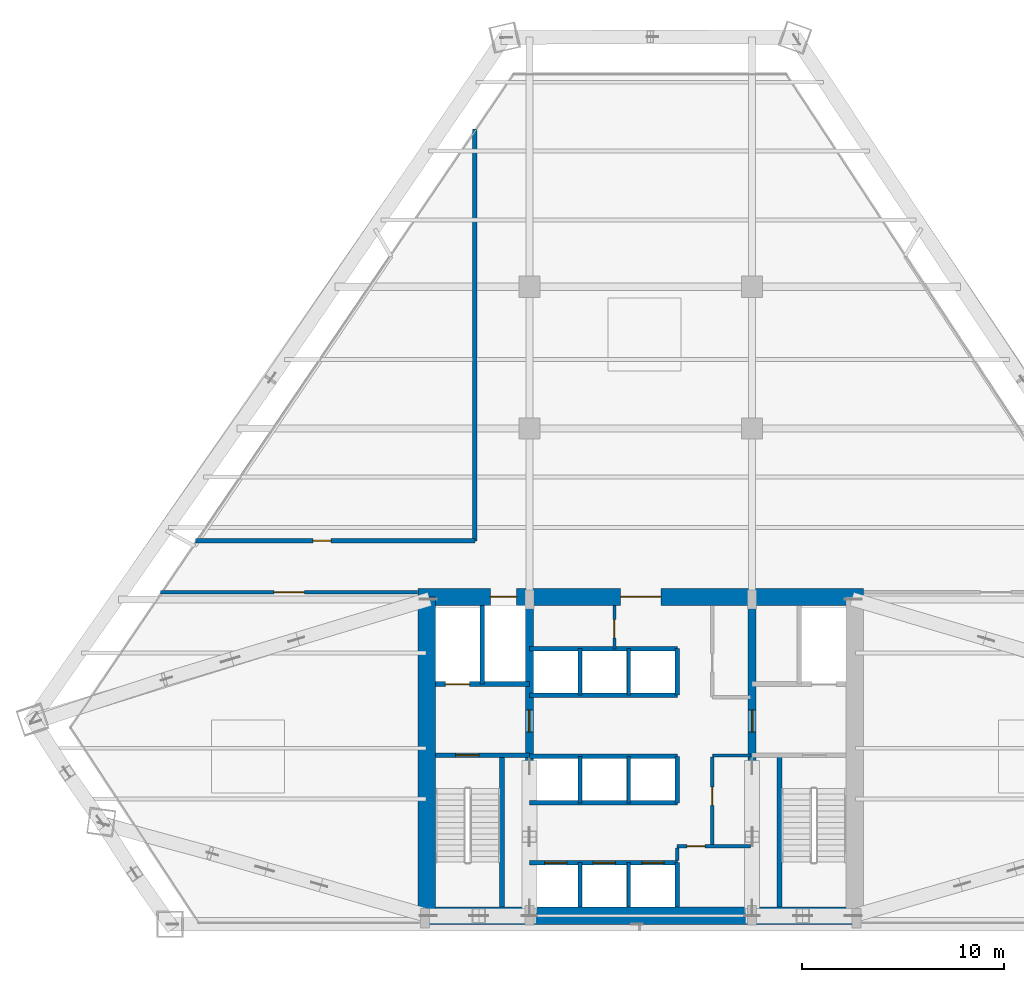
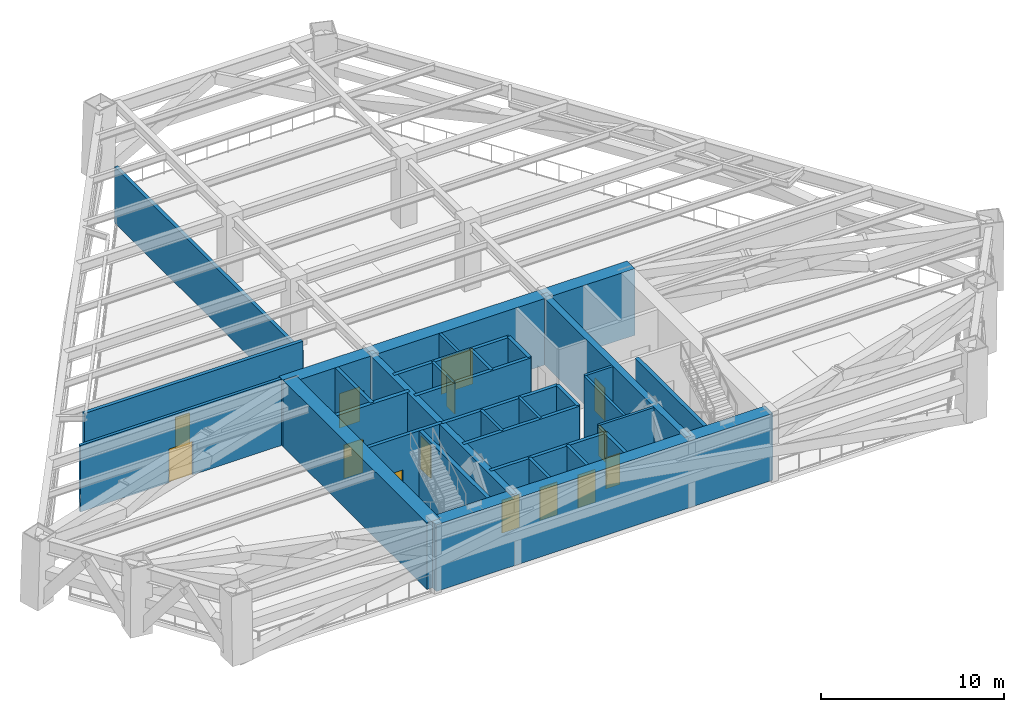
# One storey, part 7 of 10: 32 walls, 14 doors, 14 openings.
"""IFC4 building model written with IfcOpenShell, lengths in metres."""

from ifc_helpers import new_model, si_unit, direction, frame, frame_2d, origin, place, context, subcontext, project, spatial, rectangle, extrude, source, transform, mapped, material, layer, layer_set, type_object, type_shapes, element, fill, save


model = new_model("IFC4")

# Units and contexts
model_context = context("Model", 3, precision=1e-05, world=origin(), true_north=direction((0.0, 1.0)))
body_context = subcontext(model_context, "Body", "Model", "MODEL_VIEW")
ifc_project = project(units=[si_unit("LENGTHUNIT", "METRE"), si_unit("AREAUNIT", "SQUARE_METRE"), si_unit("VOLUMEUNIT", "CUBIC_METRE"), si_unit("PLANEANGLEUNIT", "RADIAN"), si_unit("MASSUNIT", "GRAM", prefix="KILO")], contexts=[model_context])

# Site, building, storey
site_placement = place(None, origin())
site = spatial("IfcSite", under=ifc_project, at=site_placement, CompositionType="ELEMENT")
building_placement = place(site_placement, origin())
building = spatial("IfcBuilding", under=site, at=building_placement, Name="Varnakhor Terracotta Tower", CompositionType="ELEMENT")
storey_placement = place(building_placement, frame((0.0, 0.0, 71.89990234375)))
storey = spatial("IfcBuildingStorey", under=building, at=storey_placement, Name="L17", CompositionType="ELEMENT", Elevation=71.89990234375)

# Wall
ifc_material_1 = material(Name="Concrete C60/75", Category="concrete")
ifc_layer_1 = layer(ifc_material_1, 0.85009765625, Name="Concrete C60/75")
ifc_layer_set_1 = layer_set([ifc_layer_1], Name="Concrete C60/75")
wall_type_1 = type_object("IfcWallType", Name="WAL-CORE-850", PredefinedType="SHEAR", material=ifc_layer_set_1)
wall_1_placement = place(storey_placement, frame((-10.64990234375, 0.425048828125, 0.0), z_axis=(0.0, 0.0, 1.0), x_axis=(1.0, 0.0, 0.0)))
element("IfcWall", 1, at=wall_1_placement, inside=storey, type_object=wall_type_1, Name="L17 South Core Shear Wall", PredefinedType="SHEAR", context=body_context, shape_type="SweptSolid", body=[
    extrude(rectangle(XDim=21.2998046875, YDim=0.85009765625, at=frame_2d((10.64990234375, 0.0))), origin(), (0.0, 0.0, 1.0), 4.4501953125),
])

# Wall, openings, doors
wall_2_placement = place(storey_placement, frame((-11.0, 16.175048828125, 0.0), z_axis=(0.0, 0.0, 1.0), x_axis=(1.0, 0.0, 0.0)))
wall_2 = element("IfcWall", 2, at=wall_2_placement, inside=storey, type_object=wall_type_1, Name="L17 North Core Shear Wall", PredefinedType="SHEAR", context=body_context, shape_type="SweptSolid", body=[
    extrude(rectangle(XDim=22.0, YDim=0.85009765625, at=frame_2d((11.0, 0.0))), origin(), (0.0, 0.0, 1.0), 4.4501953125),
])
opening_1_placement = place(wall_2_placement, frame((3.570068359375, 0.0, 0.0)))
opening_1 = element("IfcOpeningElement", 3, at=opening_1_placement, cuts=wall_2, Name="Opening LD-03", PredefinedType="OPENING", context=body_context, shape_type="SweptSolid", body=[
    extrude(rectangle(XDim=1.300048828125, YDim=2.300048828125, at=frame_2d((0.64990234375, 1.14990234375))), frame((0.0, 0.43505859375, 0.0), z_axis=(0.0, -1.0, 0.0), x_axis=(1.0, 0.0, 0.0)), (0.0, 0.0, 1.0), 0.8701171875),
])
opening_2_placement = place(wall_2_placement, frame((10.0, 0.0, 0.0)))
opening_2 = element("IfcOpeningElement", 4, at=opening_2_placement, cuts=wall_2, Name="Opening DR-32", PredefinedType="OPENING", context=body_context, shape_type="SweptSolid", body=[
    extrude(rectangle(XDim=2.0, YDim=2.39990234375, at=frame_2d((1.0, 1.199951171875))), frame((0.0, 0.43505859375, 0.0), z_axis=(0.0, -1.0, 0.0), x_axis=(1.0, 0.0, 0.0)), (0.0, 0.0, 1.0), 0.8701171875),
])
ifc_material_2 = material(Name="Heavy-Duty Goods Sliding Lift Landing Door", Category="steel")
door_type_1 = type_object("IfcDoorType", Name="LD-SRV-1300X2300", OperationType="NOTDEFINED", PredefinedType="DOOR", material=ifc_material_2)
shared_shape_1 = source(origin(), body_context, "Body", "SweptSolid", [
    extrude(rectangle(XDim=1.300048828125, YDim=2.300048828125, at=frame_2d((0.64990234375, 1.14990234375))), frame((0.0, 0.02490234375, 0.0), z_axis=(0.0, -1.0, 0.0), x_axis=(1.0, 0.0, 0.0)), (0.0, 0.0, 1.0), 0.050048828125),
])
type_shapes(door_type_1, [shared_shape_1])
door_1_placement = place(opening_1_placement, origin())
door_1 = element("IfcDoor", 5, at=door_1_placement, inside=storey, type_object=door_type_1, Name="L17 Service Lift SVL-1 Landing Door", OperationType="SLIDING_TO_RIGHT", OverallHeight=2.300048828125, OverallWidth=1.300048828125, PredefinedType="DOOR", context=body_context, shape_type="MappedRepresentation", body=[
    mapped(shared_shape_1, transform((0.0, 0.0, 0.0), scale=1.0)),
])
fill(opening_1, door_1)
ifc_material_3 = material(Name="Acoustic Double Assembly Fire Door", Category="wood")
door_type_2 = type_object("IfcDoorType", Name="DR-HALL-2000X2400", OperationType="NOTDEFINED", PredefinedType="DOOR", material=ifc_material_3)
shared_shape_2 = source(origin(), body_context, "Body", "SweptSolid", [
    extrude(rectangle(XDim=2.0, YDim=2.39990234375, at=frame_2d((1.0, 1.199951171875))), frame((0.0, 0.02490234375, 0.0), z_axis=(0.0, -1.0, 0.0), x_axis=(1.0, 0.0, 0.0)), (0.0, 0.0, 1.0), 0.050048828125),
])
type_shapes(door_type_2, [shared_shape_2])
door_2_placement = place(opening_2_placement, origin())
door_2 = element("IfcDoor", 6, at=door_2_placement, inside=storey, type_object=door_type_2, Name="L17 Core Main Lobby Double Door", OperationType="DOUBLE_DOOR_SINGLE_SWING", OverallHeight=2.39990234375, OverallWidth=2.0, PredefinedType="DOOR", context=body_context, shape_type="MappedRepresentation", body=[
    mapped(shared_shape_2, transform((0.0, 0.0, 0.0), scale=1.0)),
])
fill(opening_2, door_2)

# Wall
wall_3_placement = place(storey_placement, frame((-10.574951171875, 0.425048828125, 0.0), z_axis=(0.0, 0.0, 1.0), x_axis=(0.0, 1.0, 0.0)))
element("IfcWall", 7, at=wall_3_placement, inside=storey, type_object=wall_type_1, Name="L17 West Core Shear Wall", PredefinedType="SHEAR", context=body_context, shape_type="SweptSolid", body=[
    extrude(rectangle(XDim=15.75, YDim=0.85009765625, at=frame_2d((7.875, 0.0))), origin(), (0.0, 0.0, 1.0), 4.4501953125),
])

# Wall, opening, door
ifc_material_4 = material(Name="Concrete C50/60", Category="concrete")
ifc_layer_2 = layer(ifc_material_4, 0.39990234375, Name="Concrete C50/60")
ifc_layer_set_2 = layer_set([ifc_layer_2], Name="Concrete C50/60")
wall_type_2 = type_object("IfcWallType", Name="WAL-CORE-WEB-400", PredefinedType="SHEAR", material=ifc_layer_set_2)
wall_4_placement = place(storey_placement, frame((-5.5, 0.425048828125, 0.0), z_axis=(0.0, 0.0, 1.0), x_axis=(0.0, 1.0, 0.0)))
wall_4 = element("IfcWall", 8, at=wall_4_placement, inside=storey, type_object=wall_type_2, Name="L17 West Core Web Shear Wall", PredefinedType="SHEAR", context=body_context, shape_type="SweptSolid", body=[
    extrude(rectangle(XDim=15.75, YDim=0.39990234375, at=frame_2d((7.875, 0.0))), origin(), (0.0, 0.0, 1.0), 4.4501953125),
])
opening_3_placement = place(wall_4_placement, frame((9.074951171875, 0.0, 0.0)))
opening_3 = element("IfcOpeningElement", 9, at=opening_3_placement, cuts=wall_4, Name="Opening DR-25", PredefinedType="OPENING", context=body_context, shape_type="SweptSolid", body=[
    extrude(rectangle(XDim=1.10009765625, YDim=2.199951171875, at=frame_2d((0.550048828125, 1.10009765625))), frame((0.0, 0.2099609375, 0.0), z_axis=(0.0, -1.0, 0.0), x_axis=(1.0, 0.0, 0.0)), (0.0, 0.0, 1.0), 0.419921875),
])
ifc_material_5 = material(Name="Firefighting Lobby Self-Closing Fire Door", Category="steel")
door_type_3 = type_object("IfcDoorType", Name="DR-FFL-1100X2200", OperationType="NOTDEFINED", PredefinedType="DOOR", material=ifc_material_5)
shared_shape_3 = source(origin(), body_context, "Body", "SweptSolid", [
    extrude(rectangle(XDim=1.10009765625, YDim=2.199951171875, at=frame_2d((0.550048828125, 1.10009765625))), frame((0.0, 0.02490234375, 0.0), z_axis=(0.0, -1.0, 0.0), x_axis=(1.0, 0.0, 0.0)), (0.0, 0.0, 1.0), 0.050048828125),
])
type_shapes(door_type_3, [shared_shape_3])
door_3_placement = place(opening_3_placement, origin())
door_3 = element("IfcDoor", 10, at=door_3_placement, inside=storey, type_object=door_type_3, Name="L17 West Firefighting Lobby Door", OperationType="SINGLE_SWING_LEFT", OverallHeight=2.199951171875, OverallWidth=1.10009765625, PredefinedType="DOOR", context=body_context, shape_type="MappedRepresentation", body=[
    mapped(shared_shape_3, transform((0.0, 0.0, 0.0), scale=1.0)),
])
fill(opening_3, door_3)

wall_5_placement = place(storey_placement, frame((5.5, 0.425048828125, 0.0), z_axis=(0.0, 0.0, 1.0), x_axis=(0.0, 1.0, 0.0)))
wall_5 = element("IfcWall", 11, at=wall_5_placement, inside=storey, type_object=wall_type_2, Name="L17 East Core Web Shear Wall", PredefinedType="SHEAR", context=body_context, shape_type="SweptSolid", body=[
    extrude(rectangle(XDim=15.75, YDim=0.39990234375, at=frame_2d((7.875, 0.0))), origin(), (0.0, 0.0, 1.0), 4.4501953125),
])
opening_4_placement = place(wall_5_placement, frame((9.074951171875, 0.0, 0.0)))
opening_4 = element("IfcOpeningElement", 12, at=opening_4_placement, cuts=wall_5, Name="Opening DR-25", PredefinedType="OPENING", context=body_context, shape_type="SweptSolid", body=[
    extrude(rectangle(XDim=1.10009765625, YDim=2.199951171875, at=frame_2d((0.550048828125, 1.10009765625))), frame((0.0, 0.2099609375, 0.0), z_axis=(0.0, -1.0, 0.0), x_axis=(1.0, 0.0, 0.0)), (0.0, 0.0, 1.0), 0.419921875),
])
door_4_placement = place(opening_4_placement, origin())
door_4 = element("IfcDoor", 13, at=door_4_placement, inside=storey, type_object=door_type_3, Name="L17 East Firefighting Lobby Door", OperationType="SINGLE_SWING_LEFT", OverallHeight=2.199951171875, OverallWidth=1.10009765625, PredefinedType="DOOR", context=body_context, shape_type="MappedRepresentation", body=[
    mapped(shared_shape_3, transform((0.0, 0.0, 0.0), scale=1.0)),
])
fill(opening_4, door_4)

ifc_material_6 = material(Name="Fire-Rated Gypsum Stud Partition", Category="gypsum")
ifc_layer_3 = layer(ifc_material_6, 0.18505859375, Name="Fire-Rated Gypsum Stud Partition")
ifc_layer_set_3 = layer_set([ifc_layer_3], Name="Fire-Rated Gypsum Stud Partition")
wall_type_3 = type_object("IfcWallType", Name="WAL-CORR-185", PredefinedType="PARTITIONING", material=ifc_layer_set_3)
wall_6_placement = place(storey_placement, frame((-23.720703125, 16.39990234375, 0.0), z_axis=(0.0, 0.0, 1.0), x_axis=(1.0, 0.0, 0.0)))
wall_6 = element("IfcWall", 14, at=wall_6_placement, inside=storey, type_object=wall_type_3, Name="L17 West Plant Wall", PredefinedType="PARTITIONING", context=body_context, shape_type="SweptSolid", body=[
    extrude(rectangle(XDim=12.70068359375, YDim=0.18505859375, at=frame_2d((6.350341796875, 0.0))), origin(), (0.0, 0.0, 1.0), 4.442138671875),
])
opening_5_placement = place(wall_6_placement, frame((5.600341796875, 0.0, 0.0)))
opening_5 = element("IfcOpeningElement", 15, at=opening_5_placement, cuts=wall_6, Name="Opening DR-30", PredefinedType="OPENING", context=body_context, shape_type="SweptSolid", body=[
    extrude(rectangle(XDim=1.5, YDim=2.25, at=frame_2d((0.75, 1.125))), frame((0.0, 0.1025390625, 0.0), z_axis=(0.0, -1.0, 0.0), x_axis=(1.0, 0.0, 0.0)), (0.0, 0.0, 1.0), 0.205078125),
])
ifc_material_7 = material(Name="Double Acoustic Conference Room Door", Category="wood")
door_type_4 = type_object("IfcDoorType", Name="DR-MEET-1500X2250", OperationType="NOTDEFINED", PredefinedType="DOOR", material=ifc_material_7)
shared_shape_4 = source(origin(), body_context, "Body", "SweptSolid", [
    extrude(rectangle(XDim=1.5, YDim=2.25, at=frame_2d((0.75, 1.125))), frame((0.0, 0.02490234375, 0.0), z_axis=(0.0, -1.0, 0.0), x_axis=(1.0, 0.0, 0.0)), (0.0, 0.0, 1.0), 0.050048828125),
])
type_shapes(door_type_4, [shared_shape_4])
door_5_placement = place(opening_5_placement, origin())
door_5 = element("IfcDoor", 16, at=door_5_placement, inside=storey, type_object=door_type_4, Name="L17 West Mechanical Room Door", OperationType="DOUBLE_DOOR_SINGLE_SWING", OverallHeight=2.25, OverallWidth=1.5, PredefinedType="DOOR", context=body_context, shape_type="MappedRepresentation", body=[
    mapped(shared_shape_4, transform((0.0, 0.0, 0.0), scale=1.0)),
])
fill(opening_5, door_5)

ifc_material_8 = material(Name="Concrete C40/50", Category="concrete")
ifc_layer_4 = layer(ifc_material_8, 0.219970703125, Name="Concrete C40/50")
ifc_layer_set_4 = layer_set([ifc_layer_4], Name="Concrete C40/50")
wall_type_4 = type_object("IfcWallType", Name="WAL-FFLOBBY-220", PredefinedType="SOLIDWALL", material=ifc_layer_set_4)
wall_7_placement = place(storey_placement, frame((-5.5, 8.35009765625, 0.0), z_axis=(0.0, 0.0, 1.0), x_axis=(-1.0, 0.0, 0.0)))
wall_7 = element("IfcWall", 17, at=wall_7_placement, inside=storey, type_object=wall_type_4, Name="L17 West Firefighting Lobby Stair Wall", PredefinedType="SOLIDWALL", context=body_context, shape_type="SweptSolid", body=[
    extrude(rectangle(XDim=4.64990234375, YDim=0.219970703125, at=frame_2d((2.324951171875, 0.0))), origin(), (0.0, 0.0, 1.0), 4.4501953125),
])
opening_6_placement = place(wall_7_placement, frame((2.5, 0.0, 0.0)))
opening_6 = element("IfcOpeningElement", 18, at=opening_6_placement, cuts=wall_7, Name="Opening DR-34", PredefinedType="OPENING", context=body_context, shape_type="SweptSolid", body=[
    extrude(rectangle(XDim=1.14990234375, YDim=2.199951171875, at=frame_2d((0.574951171875, 1.10009765625))), frame((0.0, 0.1201171875, 0.0), z_axis=(0.0, -1.0, 0.0), x_axis=(1.0, 0.0, 0.0)), (0.0, 0.0, 1.0), 0.239990234375),
])
ifc_material_9 = material(Name="Self-Closing Smoke-Sealed Steel Fire Door", Category="steel")
door_type_5 = type_object("IfcDoorType", Name="DR-STAIR-1150X2200", OperationType="NOTDEFINED", PredefinedType="DOOR", material=ifc_material_9)
shared_shape_5 = source(origin(), body_context, "Body", "SweptSolid", [
    extrude(rectangle(XDim=1.14990234375, YDim=2.199951171875, at=frame_2d((0.574951171875, 1.10009765625))), frame((0.0, 0.02490234375, 0.0), z_axis=(0.0, -1.0, 0.0), x_axis=(1.0, 0.0, 0.0)), (0.0, 0.0, 1.0), 0.050048828125),
])
type_shapes(door_type_5, [shared_shape_5])
door_6_placement = place(opening_6_placement, origin())
door_6 = element("IfcDoor", 19, at=door_6_placement, inside=storey, type_object=door_type_5, Name="L17 Exit Stair ST-1 Fire Door", OperationType="SINGLE_SWING_RIGHT", OverallHeight=2.199951171875, OverallWidth=1.14990234375, PredefinedType="DOOR", context=body_context, shape_type="MappedRepresentation", body=[
    mapped(shared_shape_5, transform((0.0, 0.0, 0.0), scale=1.0)),
])
fill(opening_6, door_6)

wall_8_placement = place(storey_placement, frame((-21.990966796875, 18.949951171875, 0.0), z_axis=(0.0, 0.0, 1.0), x_axis=(1.0, 0.0, 0.0)))
wall_8 = element("IfcWall", 20, at=wall_8_placement, inside=storey, type_object=wall_type_4, Name="L17 Booster Pump South Firewall", PredefinedType="SOLIDWALL", context=body_context, shape_type="SweptSolid", body=[
    extrude(rectangle(XDim=13.791015625, YDim=0.219970703125, at=frame_2d((6.8955078125, 0.0))), origin(), (0.0, 0.0, 1.0), 4.442138671875),
])
opening_7_placement = place(wall_8_placement, frame((5.789794921875, 0.0, 0.0)))
opening_7 = element("IfcOpeningElement", 21, at=opening_7_placement, cuts=wall_8, Name="Opening DR-67", PredefinedType="OPENING", context=body_context, shape_type="SweptSolid", body=[
    extrude(rectangle(XDim=0.89990234375, YDim=2.10009765625, at=frame_2d((0.449951171875, 1.050048828125))), frame((0.0, 0.1201171875, 0.0), z_axis=(0.0, -1.0, 0.0), x_axis=(1.0, 0.0, 0.0)), (0.0, 0.0, 1.0), 0.239990234375),
])
ifc_material_10 = material(Name="Steel Service Riser Fire Door", Category="steel")
door_type_6 = type_object("IfcDoorType", Name="DR-RISER-900X2100", OperationType="NOTDEFINED", PredefinedType="DOOR", material=ifc_material_10)
shared_shape_6 = source(origin(), body_context, "Body", "SweptSolid", [
    extrude(rectangle(XDim=0.89990234375, YDim=2.10009765625, at=frame_2d((0.449951171875, 1.050048828125))), frame((0.0, 0.02490234375, 0.0), z_axis=(0.0, -1.0, 0.0), x_axis=(1.0, 0.0, 0.0)), (0.0, 0.0, 1.0), 0.050048828125),
])
type_shapes(door_type_6, [shared_shape_6])
door_7_placement = place(opening_7_placement, origin())
door_7 = element("IfcDoor", 22, at=door_7_placement, inside=storey, type_object=door_type_6, Name="L17 Booster Pump Room Door", OperationType="SINGLE_SWING_RIGHT", OverallHeight=2.10009765625, OverallWidth=0.89990234375, PredefinedType="DOOR", context=body_context, shape_type="MappedRepresentation", body=[
    mapped(shared_shape_6, transform((0.0, 0.0, 0.0), scale=1.0)),
])
fill(opening_7, door_7)

# Walls
wall_9_placement = place(storey_placement, frame((-8.199951171875, 18.949951171875, 0.0), z_axis=(0.0, 0.0, 1.0), x_axis=(0.0, 1.0, 0.0)))
element("IfcWall", 23, at=wall_9_placement, inside=storey, type_object=wall_type_4, Name="L17 Refuge Plant Firewall", PredefinedType="SOLIDWALL", context=body_context, shape_type="SweptSolid", body=[
    extrude(rectangle(XDim=20.329345703125, YDim=0.219970703125, at=frame_2d((10.16455078125, 0.0))), origin(), (0.0, 0.0, 1.0), 3.7470703125),
])
ifc_layer_5 = layer(ifc_material_8, 0.179931640625, Name="Concrete C40/50")
ifc_layer_set_5 = layer_set([ifc_layer_5], Name="Concrete C40/50")
wall_type_5 = type_object("IfcWallType", Name="WAL-SHAFT-180", PredefinedType="SOLIDWALL", material=ifc_layer_set_5)
for number, where, z_axis, x_axis, name in (
    (24, (-3.0, 0.85009765625, 0.0), (0.0, 0.0, 1.0), (0.0, 1.0, 0.0), "L17 PL-1A Divider"),
    (25, (-0.60009765625, 0.85009765625, 0.0), (0.0, 0.0, 1.0), (0.0, 1.0, 0.0), "L17 PL-1B Divider"),
):
    element("IfcWall", number, at=place(storey_placement, frame(where, z_axis=z_axis, x_axis=x_axis)), inside=storey, type_object=wall_type_5, Name=name, PredefinedType="SOLIDWALL", context=body_context, shape_type="SweptSolid", body=[
        extrude(rectangle(XDim=2.199951171875, YDim=0.179931640625, at=frame_2d((1.10009765625, 0.0))), origin(), (0.0, 0.0, 1.0), 4.4501953125),
    ])
for number, where, z_axis, x_axis, name in (
    (26, (-3.0, 6.0, 0.0), (0.0, 0.0, 1.0), (0.0, 1.0, 0.0), "L17 PL-2A Divider"),
    (27, (-0.60009765625, 6.0, 0.0), (0.0, 0.0, 1.0), (0.0, 1.0, 0.0), "L17 PL-2B Divider"),
    (28, (-3.0, 11.320068359375, 0.0), (0.0, 0.0, 1.0), (0.0, 1.0, 0.0), "L17 PL-3A Divider"),
    (29, (-0.60009765625, 11.320068359375, 0.0), (0.0, 0.0, 1.0), (0.0, 1.0, 0.0), "L17 PL-3B Divider"),
):
    element("IfcWall", number, at=place(storey_placement, frame(where, z_axis=z_axis, x_axis=x_axis)), inside=storey, type_object=wall_type_5, Name=name, PredefinedType="SOLIDWALL", context=body_context, shape_type="SweptSolid", body=[
        extrude(rectangle(XDim=2.300048828125, YDim=0.179931640625, at=frame_2d((1.14990234375, 0.0))), origin(), (0.0, 0.0, 1.0), 4.4501953125),
    ])
ifc_layer_6 = layer(ifc_material_8, 0.219970703125, Name="Concrete C40/50")
ifc_layer_set_6 = layer_set([ifc_layer_6], Name="Concrete C40/50")
wall_type_6 = type_object("IfcWallType", Name="WAL-SHAFT-220", PredefinedType="SOLIDWALL", material=ifc_layer_set_6)
wall_10_placement = place(storey_placement, frame((-7.840087890625, 11.8701171875, 0.0), z_axis=(0.0, 0.0, 1.0), x_axis=(0.0, 1.0, 0.0)))
element("IfcWall", 30, at=wall_10_placement, inside=storey, type_object=wall_type_6, Name="L17 Lift FFL-1 and SVL-1 Divider Wall", PredefinedType="SOLIDWALL", context=body_context, shape_type="SweptSolid", body=[
    extrude(rectangle(XDim=3.8798828125, YDim=0.219970703125, at=frame_2d((1.93994140625, 0.0))), origin(), (0.0, 0.0, 1.0), 4.4501953125),
])

# Wall, openings, doors
wall_11_placement = place(storey_placement, frame((-5.5, 3.050048828125, 0.0), z_axis=(0.0, 0.0, 1.0), x_axis=(1.0, 0.0, 0.0)))
wall_11 = element("IfcWall", 31, at=wall_11_placement, inside=storey, type_object=wall_type_6, Name="L17 Bank 1 Lift Shaft Wall", PredefinedType="SOLIDWALL", context=body_context, shape_type="SweptSolid", body=[
    extrude(rectangle(XDim=7.320068359375, YDim=0.219970703125, at=frame_2d((3.66015625, 0.0))), origin(), (0.0, 0.0, 1.0), 4.4501953125),
])
opening_8_placement = place(wall_11_placement, frame((0.75, 0.0, 0.0)))
opening_8 = element("IfcOpeningElement", 32, at=opening_8_placement, cuts=wall_11, Name="Opening LD-01", PredefinedType="OPENING", context=body_context, shape_type="SweptSolid", body=[
    extrude(rectangle(XDim=1.10009765625, YDim=2.199951171875, at=frame_2d((0.550048828125, 1.10009765625))), frame((0.0, 0.1201171875, 0.0), z_axis=(0.0, -1.0, 0.0), x_axis=(1.0, 0.0, 0.0)), (0.0, 0.0, 1.0), 0.239990234375),
])
opening_9_placement = place(wall_11_placement, frame((3.14990234375, 0.0, 0.0)))
opening_9 = element("IfcOpeningElement", 33, at=opening_9_placement, cuts=wall_11, Name="Opening LD-01", PredefinedType="OPENING", context=body_context, shape_type="SweptSolid", body=[
    extrude(rectangle(XDim=1.10009765625, YDim=2.199951171875, at=frame_2d((0.550048828125, 1.10009765625))), frame((0.0, 0.1201171875, 0.0), z_axis=(0.0, -1.0, 0.0), x_axis=(1.0, 0.0, 0.0)), (0.0, 0.0, 1.0), 0.239990234375),
])
opening_10_placement = place(wall_11_placement, frame((5.550048828125, 0.0, 0.0)))
opening_10 = element("IfcOpeningElement", 34, at=opening_10_placement, cuts=wall_11, Name="Opening LD-01", PredefinedType="OPENING", context=body_context, shape_type="SweptSolid", body=[
    extrude(rectangle(XDim=1.10009765625, YDim=2.199951171875, at=frame_2d((0.550048828125, 1.10009765625))), frame((0.0, 0.1201171875, 0.0), z_axis=(0.0, -1.0, 0.0), x_axis=(1.0, 0.0, 0.0)), (0.0, 0.0, 1.0), 0.239990234375),
])
ifc_material_11 = material(Name="Brushed Stainless Steel Sliding Lift Landing Door", Category="steel")
door_type_7 = type_object("IfcDoorType", Name="LD-PASS-1100X2200", OperationType="NOTDEFINED", PredefinedType="DOOR", material=ifc_material_11)
shared_shape_7 = source(origin(), body_context, "Body", "SweptSolid", [
    extrude(rectangle(XDim=1.10009765625, YDim=2.199951171875, at=frame_2d((0.550048828125, 1.10009765625))), frame((0.0, 0.02490234375, 0.0), z_axis=(0.0, -1.0, 0.0), x_axis=(1.0, 0.0, 0.0)), (0.0, 0.0, 1.0), 0.050048828125),
])
type_shapes(door_type_7, [shared_shape_7])
door_8_placement = place(opening_8_placement, origin())
door_8 = element("IfcDoor", 35, at=door_8_placement, inside=storey, type_object=door_type_7, Name="L17 Passenger Lift PL-1A Landing Door", OperationType="SLIDING_TO_RIGHT", OverallHeight=2.199951171875, OverallWidth=1.10009765625, PredefinedType="DOOR", context=body_context, shape_type="MappedRepresentation", body=[
    mapped(shared_shape_7, transform((0.0, 0.0, 0.0), scale=1.0)),
])
fill(opening_8, door_8)
door_9_placement = place(opening_9_placement, origin())
door_9 = element("IfcDoor", 36, at=door_9_placement, inside=storey, type_object=door_type_7, Name="L17 Passenger Lift PL-1B Landing Door", OperationType="SLIDING_TO_RIGHT", OverallHeight=2.199951171875, OverallWidth=1.10009765625, PredefinedType="DOOR", context=body_context, shape_type="MappedRepresentation", body=[
    mapped(shared_shape_7, transform((0.0, 0.0, 0.0), scale=1.0)),
])
fill(opening_9, door_9)
door_10_placement = place(opening_10_placement, origin())
door_10 = element("IfcDoor", 37, at=door_10_placement, inside=storey, type_object=door_type_7, Name="L17 Passenger Lift PL-1C Landing Door", OperationType="SLIDING_TO_RIGHT", OverallHeight=2.199951171875, OverallWidth=1.10009765625, PredefinedType="DOOR", context=body_context, shape_type="MappedRepresentation", body=[
    mapped(shared_shape_7, transform((0.0, 0.0, 0.0), scale=1.0)),
])
fill(opening_10, door_10)

# Walls
wall_12_placement = place(storey_placement, frame((1.800048828125, 0.85009765625, 0.0), z_axis=(0.0, 0.0, 1.0), x_axis=(0.0, 1.0, 0.0)))
element("IfcWall", 38, at=wall_12_placement, inside=storey, type_object=wall_type_6, Name="L17 Bank 1 East Shaft Wall", PredefinedType="SOLIDWALL", context=body_context, shape_type="SweptSolid", body=[
    extrude(rectangle(XDim=2.199951171875, YDim=0.219970703125, at=frame_2d((1.10009765625, 0.0))), origin(), (0.0, 0.0, 1.0), 4.4501953125),
])
for number, where, z_axis, x_axis, name in (
    (39, (-5.5, 6.0, 0.0), (0.0, 0.0, 1.0), (1.0, 0.0, 0.0), "L17 Bank 2 South Shaft Wall"),
    (40, (-5.5, 8.300048828125, 0.0), (0.0, 0.0, 1.0), (1.0, 0.0, 0.0), "L17 Bank 2 North Shaft Wall"),
):
    element("IfcWall", number, at=place(storey_placement, frame(where, z_axis=z_axis, x_axis=x_axis)), inside=storey, type_object=wall_type_6, Name=name, PredefinedType="SOLIDWALL", context=body_context, shape_type="SweptSolid", body=[
        extrude(rectangle(XDim=7.320068359375, YDim=0.219970703125, at=frame_2d((3.66015625, 0.0))), origin(), (0.0, 0.0, 1.0), 4.4501953125),
    ])
wall_13_placement = place(storey_placement, frame((1.800048828125, 6.0, 0.0), z_axis=(0.0, 0.0, 1.0), x_axis=(0.0, 1.0, 0.0)))
element("IfcWall", 41, at=wall_13_placement, inside=storey, type_object=wall_type_6, Name="L17 Bank 2 East Shaft Wall", PredefinedType="SOLIDWALL", context=body_context, shape_type="SweptSolid", body=[
    extrude(rectangle(XDim=2.300048828125, YDim=0.219970703125, at=frame_2d((1.14990234375, 0.0))), origin(), (0.0, 0.0, 1.0), 4.4501953125),
])
for number, where, z_axis, x_axis, name in (
    (42, (-5.5, 11.320068359375, 0.0), (0.0, 0.0, 1.0), (1.0, 0.0, 0.0), "L17 Bank 3 South Shaft Wall"),
    (43, (-5.5, 13.6201171875, 0.0), (0.0, 0.0, 1.0), (1.0, 0.0, 0.0), "L17 Bank 3 North Shaft Wall"),
):
    element("IfcWall", number, at=place(storey_placement, frame(where, z_axis=z_axis, x_axis=x_axis)), inside=storey, type_object=wall_type_6, Name=name, PredefinedType="SOLIDWALL", context=body_context, shape_type="SweptSolid", body=[
        extrude(rectangle(XDim=7.320068359375, YDim=0.219970703125, at=frame_2d((3.66015625, 0.0))), origin(), (0.0, 0.0, 1.0), 4.4501953125),
    ])
wall_14_placement = place(storey_placement, frame((1.800048828125, 11.320068359375, 0.0), z_axis=(0.0, 0.0, 1.0), x_axis=(0.0, 1.0, 0.0)))
element("IfcWall", 44, at=wall_14_placement, inside=storey, type_object=wall_type_6, Name="L17 Bank 3 East Shaft Wall", PredefinedType="SOLIDWALL", context=body_context, shape_type="SweptSolid", body=[
    extrude(rectangle(XDim=2.300048828125, YDim=0.219970703125, at=frame_2d((1.14990234375, 0.0))), origin(), (0.0, 0.0, 1.0), 4.4501953125),
])
ifc_layer_7 = layer(ifc_material_8, 0.25, Name="Concrete C40/50")
ifc_layer_set_7 = layer_set([ifc_layer_7], Name="Concrete C40/50")
wall_type_7 = type_object("IfcWallType", Name="WAL-SHAFT-250", PredefinedType="SOLIDWALL", material=ifc_layer_set_7)
wall_15_placement = place(storey_placement, frame((-6.85009765625, 0.85009765625, 0.0), z_axis=(0.0, 0.0, 1.0), x_axis=(0.0, 1.0, 0.0)))
element("IfcWall", 45, at=wall_15_placement, inside=storey, type_object=wall_type_7, Name="L17 Stair ST-1 Bearing Shaft Wall", PredefinedType="SOLIDWALL", context=body_context, shape_type="SweptSolid", body=[
    extrude(rectangle(XDim=7.5, YDim=0.25, at=frame_2d((3.75, 0.0))), origin(), (0.0, 0.0, 1.0), 4.4501953125),
])

# Wall, opening, door
wall_16_placement = place(storey_placement, frame((-5.5, 11.8701171875, 0.0), z_axis=(0.0, 0.0, 1.0), x_axis=(-1.0, 0.0, 0.0)))
wall_16 = element("IfcWall", 46, at=wall_16_placement, inside=storey, type_object=wall_type_7, Name="L17 Lift FFL-1 Shaft Front Wall", PredefinedType="SOLIDWALL", context=body_context, shape_type="SweptSolid", body=[
    extrude(rectangle(XDim=4.64990234375, YDim=0.25, at=frame_2d((2.324951171875, 0.0))), origin(), (0.0, 0.0, 1.0), 4.4501953125),
])
opening_11_placement = place(wall_16_placement, frame((2.949951171875, 0.0, 0.0)))
opening_11 = element("IfcOpeningElement", 47, at=opening_11_placement, cuts=wall_16, Name="Opening LD-02", PredefinedType="OPENING", context=body_context, shape_type="SweptSolid", body=[
    extrude(rectangle(XDim=1.199951171875, YDim=2.25, at=frame_2d((0.60009765625, 1.125))), frame((0.0, 0.135009765625, 0.0), z_axis=(0.0, -1.0, 0.0), x_axis=(1.0, 0.0, 0.0)), (0.0, 0.0, 1.0), 0.27001953125),
])
ifc_material_12 = material(Name="Firefighting Stretcher Sliding Lift Landing Door", Category="steel")
door_type_8 = type_object("IfcDoorType", Name="LD-FFL-1200X2250", OperationType="NOTDEFINED", PredefinedType="DOOR", material=ifc_material_12)
shared_shape_8 = source(origin(), body_context, "Body", "SweptSolid", [
    extrude(rectangle(XDim=1.199951171875, YDim=2.25, at=frame_2d((0.60009765625, 1.125))), frame((0.0, 0.02490234375, 0.0), z_axis=(0.0, -1.0, 0.0), x_axis=(1.0, 0.0, 0.0)), (0.0, 0.0, 1.0), 0.050048828125),
])
type_shapes(door_type_8, [shared_shape_8])
door_11_placement = place(opening_11_placement, origin())
door_11 = element("IfcDoor", 48, at=door_11_placement, inside=storey, type_object=door_type_8, Name="L17 Firefighting Lift FFL-1 Landing Door", OperationType="SLIDING_TO_LEFT", OverallHeight=2.25, OverallWidth=1.199951171875, PredefinedType="DOOR", context=body_context, shape_type="MappedRepresentation", body=[
    mapped(shared_shape_8, transform((0.0, 0.0, 0.0), scale=1.0)),
])
fill(opening_11, door_11)

# Walls
wall_17_placement = place(storey_placement, frame((6.85009765625, 0.85009765625, 0.0), z_axis=(0.0, 0.0, 1.0), x_axis=(0.0, 1.0, 0.0)))
element("IfcWall", 49, at=wall_17_placement, inside=storey, type_object=wall_type_7, Name="L17 Stair ST-2 Bearing Shaft Wall", PredefinedType="SOLIDWALL", context=body_context, shape_type="SweptSolid", body=[
    extrude(rectangle(XDim=7.5, YDim=0.25, at=frame_2d((3.75, 0.0))), origin(), (0.0, 0.0, 1.0), 4.4501953125),
])
ifc_material_13 = material(Name="Acoustic Fire-Rated Partition", Category="gypsum")
ifc_layer_8 = layer(ifc_material_13, 0.1650390625, Name="Acoustic Fire-Rated Partition")
ifc_layer_set_8 = layer_set([ifc_layer_8], Name="Acoustic Fire-Rated Partition")
wall_type_8 = type_object("IfcWallType", Name="WAL-TENANCY-165", PredefinedType="PARTITIONING", material=ifc_layer_set_8)
wall_18_placement = place(storey_placement, frame((1.800048828125, 3.159912109375, 0.0), z_axis=(0.0, 0.0, 1.0), x_axis=(0.0, 1.0, 0.0)))
element("IfcWall", 50, at=wall_18_placement, inside=storey, type_object=wall_type_8, Name="L17 Core South West Return Wall", PredefinedType="PARTITIONING", context=body_context, shape_type="SweptSolid", body=[
    extrude(rectangle(XDim=0.607666015625, YDim=0.1650390625, at=frame_2d((0.3037109375, 0.0))), origin(), (0.0, 0.0, 1.0), 4.442138671875),
])

# Wall, opening, door
wall_19_placement = place(storey_placement, frame((3.5400390625, 3.9326171875, 0.0), z_axis=(0.0, 0.0, 1.0), x_axis=(0.0, 1.0, 0.0)))
wall_19 = element("IfcWall", 51, at=wall_19_placement, inside=storey, type_object=wall_type_8, Name="L17 Core Service Rated Wall", PredefinedType="PARTITIONING", context=body_context, shape_type="SweptSolid", body=[
    extrude(rectangle(XDim=4.324951171875, YDim=0.1650390625, at=frame_2d((2.16259765625, 0.0))), origin(), (0.0, 0.0, 1.0), 4.442138671875),
])
opening_12_placement = place(wall_19_placement, frame((1.9462890625, 0.0, 0.0)))
opening_12 = element("IfcOpeningElement", 52, at=opening_12_placement, cuts=wall_19, Name="Opening DR-67", PredefinedType="OPENING", context=body_context, shape_type="SweptSolid", body=[
    extrude(rectangle(XDim=0.89990234375, YDim=2.10009765625, at=frame_2d((0.449951171875, 1.050048828125))), frame((0.0, 0.092529296875, 0.0), z_axis=(0.0, -1.0, 0.0), x_axis=(1.0, 0.0, 0.0)), (0.0, 0.0, 1.0), 0.18505859375),
])
door_12_placement = place(opening_12_placement, origin())
door_12 = element("IfcDoor", 53, at=door_12_placement, inside=storey, type_object=door_type_6, Name="L17 Core Accessible WC Door", OperationType="SINGLE_SWING_LEFT", OverallHeight=2.10009765625, OverallWidth=0.89990234375, PredefinedType="DOOR", context=body_context, shape_type="MappedRepresentation", body=[
    mapped(shared_shape_6, transform((0.0, 0.0, 0.0), scale=1.0)),
])
fill(opening_12, door_12)

# Wall
wall_20_placement = place(storey_placement, frame((3.5400390625, 8.340087890625, 0.0), z_axis=(0.0, 0.0, 1.0), x_axis=(1.0, 0.0, 0.0)))
element("IfcWall", 54, at=wall_20_placement, inside=storey, type_object=wall_type_8, Name="L17 Accessible WC North Wall", PredefinedType="PARTITIONING", context=body_context, shape_type="SweptSolid", body=[
    extrude(rectangle(XDim=1.8798828125, YDim=0.1650390625, at=frame_2d((0.93994140625, 0.0))), origin(), (0.0, 0.0, 1.0), 4.442138671875),
])

# Wall, opening, door
wall_21_placement = place(storey_placement, frame((1.800048828125, 3.85009765625, 0.0), z_axis=(0.0, 0.0, 1.0), x_axis=(1.0, 0.0, 0.0)))
wall_21 = element("IfcWall", 55, at=wall_21_placement, inside=storey, type_object=wall_type_8, Name="L17 Core South Service Rated Wall", PredefinedType="PARTITIONING", context=body_context, shape_type="SweptSolid", body=[
    extrude(rectangle(XDim=3.619873046875, YDim=0.1650390625, at=frame_2d((1.81005859375, 0.0))), origin(), (0.0, 0.0, 1.0), 4.442138671875),
])
opening_13_placement = place(wall_21_placement, frame((0.47998046875, 0.0, 0.0)))
opening_13 = element("IfcOpeningElement", 56, at=opening_13_placement, cuts=wall_21, Name="Opening DR-67", PredefinedType="OPENING", context=body_context, shape_type="SweptSolid", body=[
    extrude(rectangle(XDim=0.89990234375, YDim=2.10009765625, at=frame_2d((0.449951171875, 1.050048828125))), frame((0.0, 0.092529296875, 0.0), z_axis=(0.0, -1.0, 0.0), x_axis=(1.0, 0.0, 0.0)), (0.0, 0.0, 1.0), 0.18505859375),
])
door_13_placement = place(opening_13_placement, origin())
door_13 = element("IfcDoor", 57, at=door_13_placement, inside=storey, type_object=door_type_6, Name="L17 Core IT Room Door", OperationType="SINGLE_SWING_RIGHT", OverallHeight=2.10009765625, OverallWidth=0.89990234375, PredefinedType="DOOR", context=body_context, shape_type="MappedRepresentation", body=[
    mapped(shared_shape_6, transform((0.0, 0.0, 0.0), scale=1.0)),
])
fill(opening_13, door_13)

wall_22_placement = place(storey_placement, frame((-1.300048828125, 13.60009765625, 0.0), z_axis=(0.0, 0.0, 1.0), x_axis=(0.0, 1.0, 0.0)))
wall_22 = element("IfcWall", 58, at=wall_22_placement, inside=storey, type_object=wall_type_8, Name="L17 Male Restroom Wall", PredefinedType="PARTITIONING", context=body_context, shape_type="SweptSolid", body=[
    extrude(rectangle(XDim=2.14990234375, YDim=0.1650390625, at=frame_2d((1.074951171875, 0.0))), origin(), (0.0, 0.0, 1.0), 4.442138671875),
])
opening_14_placement = place(wall_22_placement, frame((0.550048828125, 0.0, 0.0)))
opening_14 = element("IfcOpeningElement", 59, at=opening_14_placement, cuts=wall_22, Name="Opening DR-67", PredefinedType="OPENING", context=body_context, shape_type="SweptSolid", body=[
    extrude(rectangle(XDim=0.89990234375, YDim=2.10009765625, at=frame_2d((0.449951171875, 1.050048828125))), frame((0.0, 0.092529296875, 0.0), z_axis=(0.0, -1.0, 0.0), x_axis=(1.0, 0.0, 0.0)), (0.0, 0.0, 1.0), 0.18505859375),
])
door_14_placement = place(opening_14_placement, origin())
door_14 = element("IfcDoor", 60, at=door_14_placement, inside=storey, type_object=door_type_6, Name="L17 Male WC Door", OperationType="SINGLE_SWING_RIGHT", OverallHeight=2.10009765625, OverallWidth=0.89990234375, PredefinedType="DOOR", context=body_context, shape_type="MappedRepresentation", body=[
    mapped(shared_shape_6, transform((0.0, 0.0, 0.0), scale=1.0)),
])
fill(opening_14, door_14)

save(model, "model.ifc")
